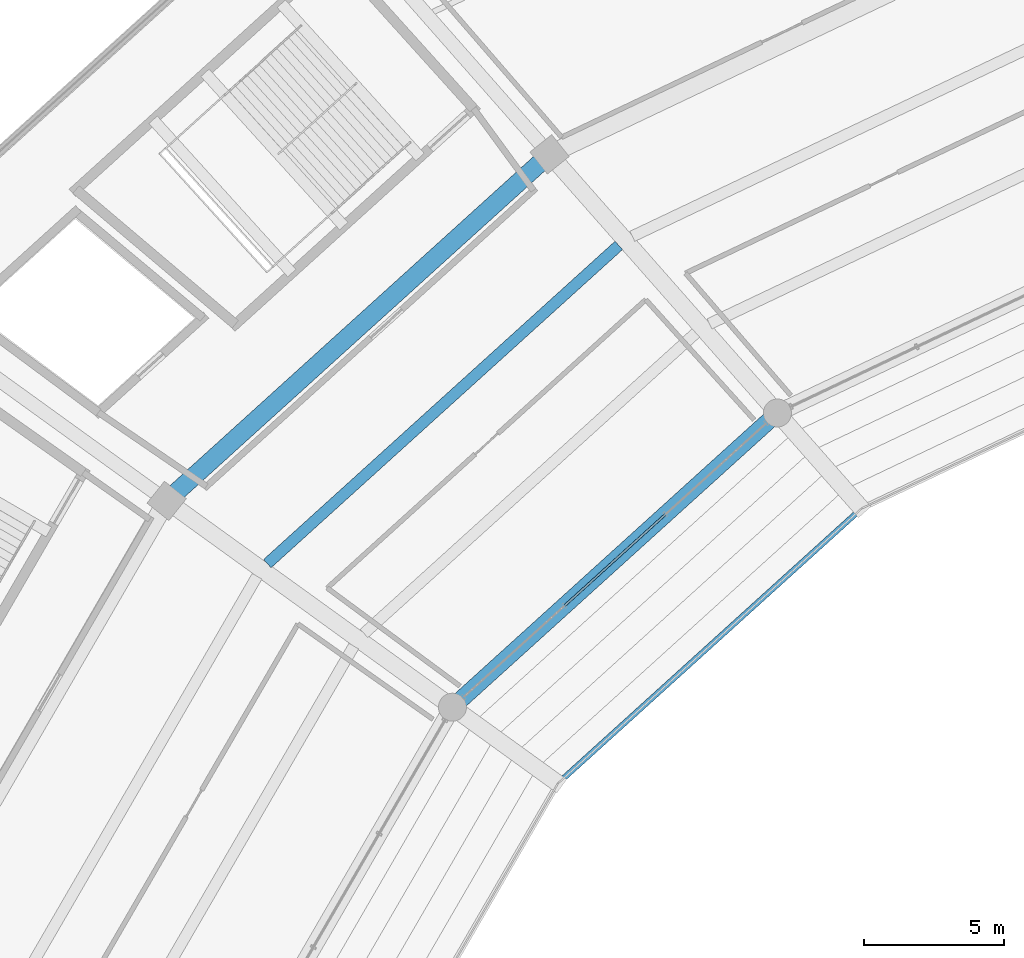
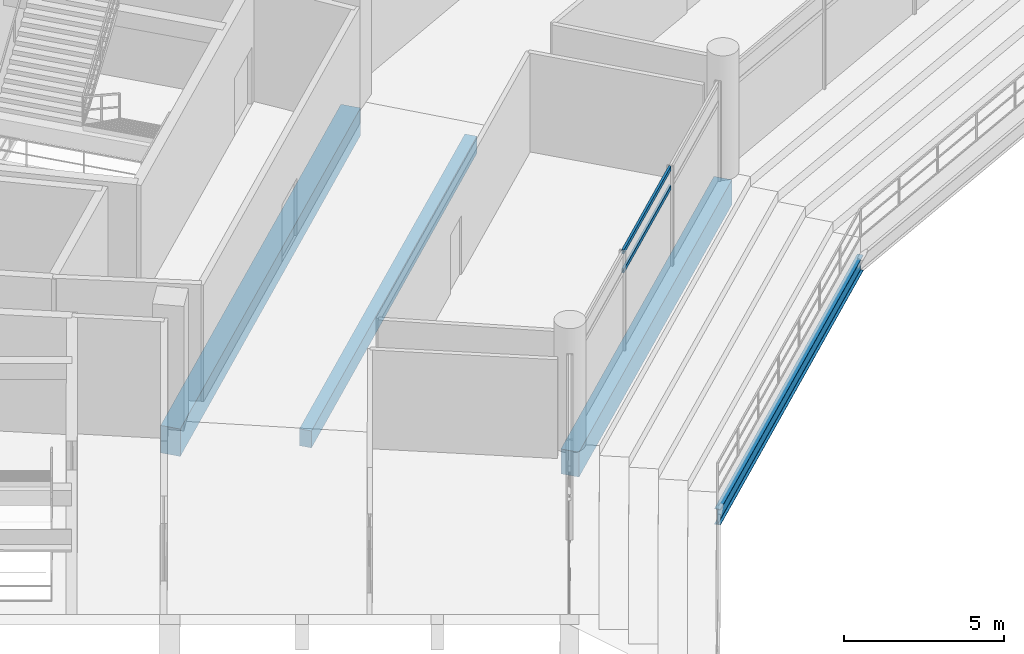
# One storey, part 80 of 171: 4 beams, 2 members, 1 element without a shape of its own.
"""IFC4 building model written with IfcOpenShell, lengths in metres."""

from ifc_helpers import new_model, si_unit, direction, frame, origin, origin_2d, place, context, subcontext, project, spatial, rectangle, hollow_rectangle, i_section, extrude, material, layer, layer_set, material_profile, profile_set, type_object, element, aggregate, save


model = new_model("IFC4")

# Units and contexts
model_context = context("Model", 3, precision=1e-05, world=origin(), true_north=direction((0.0, 1.0)))
body_context = subcontext(model_context, "Body", "Model", "MODEL_VIEW")
ifc_project = project(units=[si_unit("LENGTHUNIT", "METRE"), si_unit("AREAUNIT", "SQUARE_METRE"), si_unit("VOLUMEUNIT", "CUBIC_METRE"), si_unit("PLANEANGLEUNIT", "RADIAN"), si_unit("MASSUNIT", "GRAM", prefix="KILO")], contexts=[model_context])

# Site, building, storey
site_placement = place(None, origin())
site = spatial("IfcSite", under=ifc_project, at=site_placement, CompositionType="ELEMENT")
building_placement = place(site_placement, origin())
building = spatial("IfcBuilding", under=site, at=building_placement, Name="Kazemori Nagisa Stadium", CompositionType="ELEMENT")
storey_placement = place(building_placement, frame((0.0, 0.0, 15.639892578125)))
storey = spatial("IfcBuildingStorey", under=building, at=storey_placement, Name="L03", CompositionType="ELEMENT", Elevation=15.639892578125)

# Beams
ifc_material_1 = material(Name="Concrete C40/50 (Fc42)", Category="concrete")
ifc_material_profile_1 = material_profile(ifc_material_1, rectangle(XDim=0.60009765625, YDim=0.949951171875, at=origin_2d()), Name="RC-BM-600x950")
ifc_profile_set_1 = profile_set([ifc_material_profile_1], Name="Concrete C40/50 (Fc42)")
beam_type_1 = type_object("IfcBeamType", Name="Beam_BG-RC600X950", PredefinedType="BEAM", material=ifc_profile_set_1)
beam_1_placement = place(storey_placement, frame((77.303466796875, 153.873046875, -0.73486328125), z_axis=(-0.741349160152, -0.6711195294, 0.0), x_axis=(0.6711195294, -0.741349160152, 0.0)))
element("IfcBeam", 1, at=beam_1_placement, inside=storey, type_object=beam_type_1, Name="Ring girder BG-RC600X950 L03 R1-11", PredefinedType="BEAM", context=body_context, shape_type="SweptSolid", body=[
    extrude(rectangle(XDim=0.60009765625, YDim=0.949951171875, at=origin_2d()), origin(), (0.0, 0.0, 1.0), 15.65380859375),
])
ifc_material_profile_2 = material_profile(ifc_material_1, rectangle(XDim=0.64990234375, YDim=1.050048828125, at=origin_2d()), Name="RC-BM-650x1050")
ifc_profile_set_2 = profile_set([ifc_material_profile_2], Name="Concrete C40/50 (Fc42)")
beam_type_2 = type_object("IfcBeamType", Name="Beam_BG-RC650X1050", PredefinedType="BEAM", material=ifc_profile_set_2)
beam_2_placement = place(storey_placement, frame((69.165771484375, 163.11083984375, -0.784912109375), z_axis=(-0.741349142139, -0.671119549298, 0.0), x_axis=(0.671119549298, -0.741349142139, 0.0)))
element("IfcBeam", 2, at=beam_2_placement, inside=storey, type_object=beam_type_2, Name="Ring girder BG-RC650X1050 L03 R2-11", PredefinedType="BEAM", context=body_context, shape_type="SweptSolid", body=[
    extrude(rectangle(XDim=0.64990234375, YDim=1.050048828125, at=origin_2d()), origin(), (0.0, 0.0, 1.0), 18.44189453125),
])
ifc_material_profile_3 = material_profile(ifc_material_1, rectangle(XDim=0.39990234375, YDim=0.64990234375, at=origin_2d()), Name="RC-BM-400x650")
ifc_profile_set_3 = profile_set([ifc_material_profile_3], Name="Concrete C40/50 (Fc42)")
beam_type_3 = type_object("IfcBeamType", Name="Beam_BJ-RC400X650", PredefinedType="JOIST", material=ifc_profile_set_3)
beam_3_placement = place(storey_placement, frame((71.638671875, 159.857177734375, -0.5849609375), z_axis=(-0.741349213887, -0.671119470041, 0.0), x_axis=(0.671119470041, -0.741349213887, 0.0)))
element("IfcBeam", 3, at=beam_3_placement, inside=storey, type_object=beam_type_3, Name="Concourse joist BJ-RC400X650 L03 B11-2", PredefinedType="JOIST", context=body_context, shape_type="SweptSolid", body=[
    extrude(rectangle(XDim=0.39990234375, YDim=0.64990234375, at=origin_2d()), origin(), (0.0, 0.0, 1.0), 16.9296875),
])
ifc_material_2 = material(Name="Steel SN490B", Category="steel")
ifc_material_profile_4 = material_profile(ifc_material_2, i_section(OverallWidth=0.199951171875, OverallDepth=0.60009765625, WebThickness=0.010986328125, FlangeThickness=0.01708984375, FilletRadius=0.012939453125, at=origin_2d()), Name="H-600x200x11x17")
ifc_profile_set_4 = profile_set([ifc_material_profile_4], Name="Steel SN490B")
beam_type_4 = type_object("IfcBeamType", Name="Beam_BS-H600", PredefinedType="SPANDREL", material=ifc_profile_set_4)
beam_4_placement = place(storey_placement, frame((80.30810546875, 150.462158203125, -2.46484375), z_axis=(-0.74134947659, -0.671119179848, 0.0), x_axis=(0.671119179848, -0.74134947659, 0.0)))
element("IfcBeam", 4, at=beam_4_placement, inside=storey, type_object=beam_type_4, Name="Club tier front edge beam 11", PredefinedType="SPANDREL", context=body_context, shape_type="SweptSolid", body=[
    extrude(i_section(OverallWidth=0.199951171875, OverallDepth=0.60009765625, WebThickness=0.010986328125, FlangeThickness=0.01708984375, FilletRadius=0.012939453125, at=origin_2d()), origin(), (0.0, 0.0, 1.0), 14.624755859375),
])

# Curtain wall, members
ifc_material_3 = material(Name="Anodised aluminium 6063-T5", Category="aluminium")
ifc_layer = layer(ifc_material_3, 0.2099609375, Name="Anodised aluminium 6063-T5", Category="aluminium")
ifc_layer_set = layer_set([ifc_layer], Name="Anodised aluminium 6063-T5")
curtain_wall_type = type_object("IfcCurtainWallType", Name="CW_L03B_73", PredefinedType="USERDEFINED", material=ifc_layer_set)
curtain_wall_placement = place(storey_placement, origin())
curtain_wall = element("IfcCurtainWall", 5, at=curtain_wall_placement, inside=storey, type_object=curtain_wall_type, Name="Unitised curtain wall CW-L03B-73 L03", ObjectType="UNITISED CURTAIN WALL", PredefinedType="USERDEFINED")
ifc_material_4 = material(Name="Aluminium 6063-T5 anodised", Category="aluminium")
ifc_material_profile_5 = material_profile(ifc_material_4, hollow_rectangle(XDim=0.080078125, YDim=0.159912109375, WallThickness=0.00390625, at=origin_2d()), Name="ALU-TRAN-80x160x4")
ifc_profile_set_5 = profile_set([ifc_material_profile_5], Name="Aluminium 6063-T5 anodised")
member_type = type_object("IfcMemberType", Name="Transom_T02", PredefinedType="USERDEFINED", material=ifc_profile_set_5)
member_1_placement = place(storey_placement, frame((73.2880859375, 150.238037109375, 3.010009765625), z_axis=(-0.741352201466, -0.671116169811, 0.0), x_axis=(0.671116169811, -0.741352201466, 0.0)))
member_1 = element("IfcMember", 6, at=member_1_placement, type_object=member_type, Name="Curtain wall transom CW-L03B-73-T2-mid", ObjectType="TRANSOM", PredefinedType="USERDEFINED", context=body_context, shape_type="SweptSolid", body=[
    extrude(hollow_rectangle(XDim=0.080078125, YDim=0.159912109375, WallThickness=0.00390625, at=origin_2d()), origin(), (0.0, 0.0, 1.0), 4.8212890625),
])
member_2_placement = place(storey_placement, frame((73.2880859375, 150.238037109375, 3.739990234375), z_axis=(-0.741352201466, -0.671116169811, 0.0), x_axis=(0.671116169811, -0.741352201466, 0.0)))
member_2 = element("IfcMember", 7, at=member_2_placement, type_object=member_type, Name="Curtain wall transom CW-L03B-73-T2-head", ObjectType="TRANSOM", PredefinedType="USERDEFINED", context=body_context, shape_type="SweptSolid", body=[
    extrude(hollow_rectangle(XDim=0.080078125, YDim=0.159912109375, WallThickness=0.00390625, at=origin_2d()), origin(), (0.0, 0.0, 1.0), 4.8212890625),
])
aggregate(curtain_wall, [member_1, member_2])

save(model, "model.ifc")
